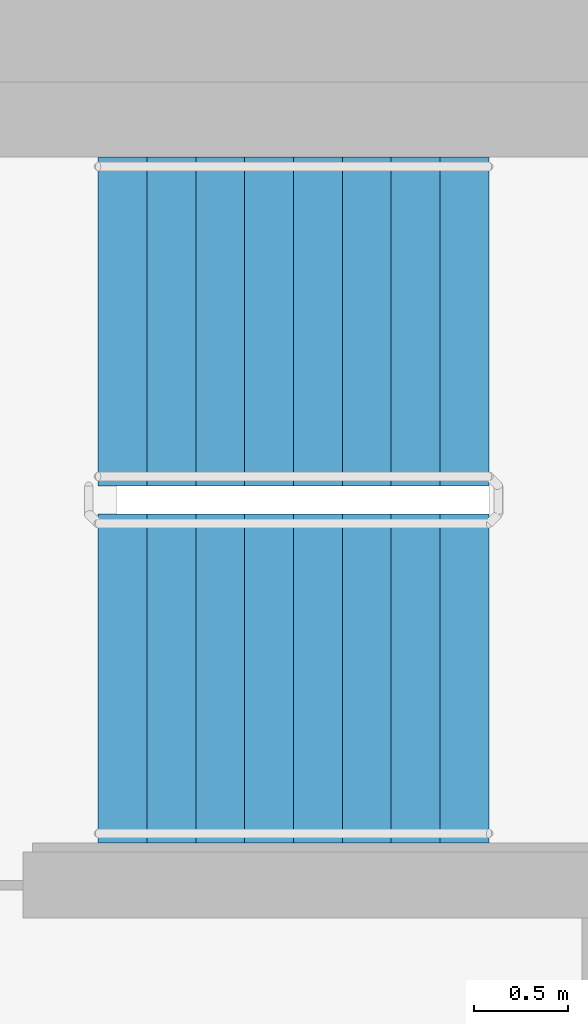
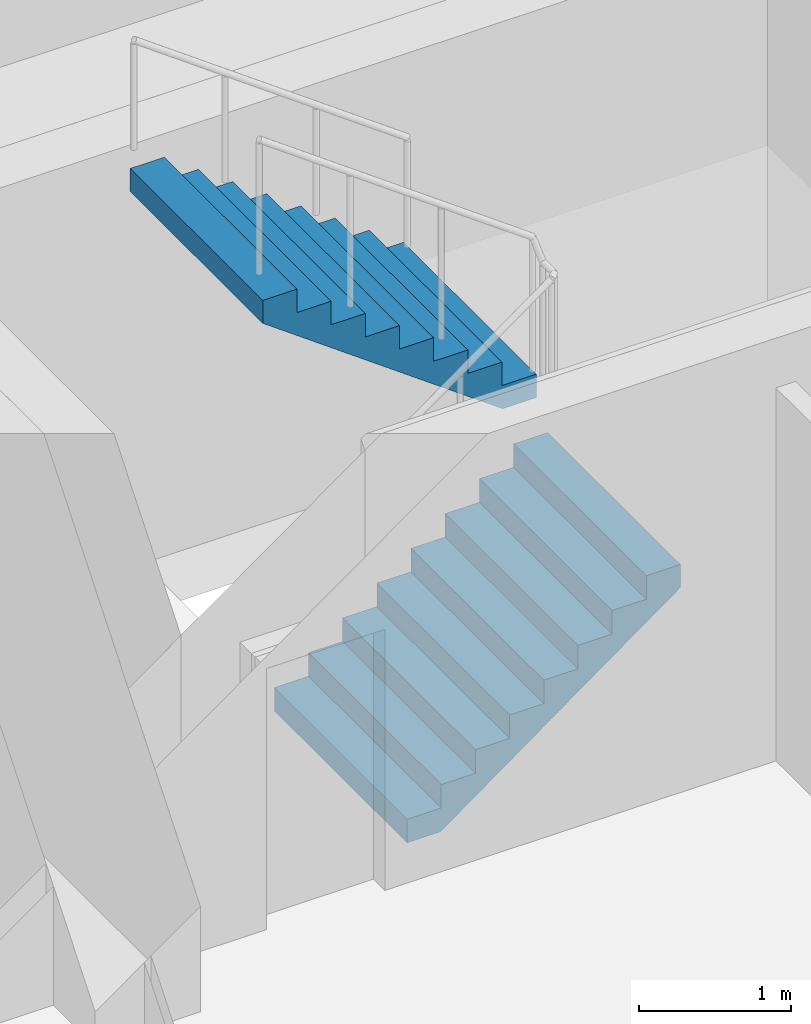
# One storey, part 13 of 18: 2 stair flights, 1 element without a shape of its own.
"""IFC4 building model written with IfcOpenShell, lengths in metres."""

from ifc_helpers import new_model, si_unit, direction, frame, origin, place, context, subcontext, project, spatial, faceted_brep, material, type_object, element, aggregate, save


model = new_model("IFC4")

# Units and contexts
model_context = context("Model", 3, precision=1e-05, world=origin(), true_north=direction((0.0, 1.0)))
body_context = subcontext(model_context, "Body", "Model", "MODEL_VIEW")
ifc_project = project(units=[si_unit("LENGTHUNIT", "METRE"), si_unit("AREAUNIT", "SQUARE_METRE"), si_unit("VOLUMEUNIT", "CUBIC_METRE"), si_unit("PLANEANGLEUNIT", "RADIAN"), si_unit("MASSUNIT", "GRAM", prefix="KILO")], contexts=[model_context])

# Site, building, storey
site_placement = place(None, origin())
site = spatial("IfcSite", under=ifc_project, at=site_placement, CompositionType="ELEMENT")
building_placement = place(site_placement, origin())
building = spatial("IfcBuilding", under=site, at=building_placement, Name="Ipe Terrace Towers", CompositionType="ELEMENT")
storey_placement = place(building_placement, frame((0.0, 0.0, 150.699951171875)))
storey = spatial("IfcBuildingStorey", under=building, at=storey_placement, Name="L41", CompositionType="ELEMENT", Elevation=150.699951171875)

# Stair, stair flights
ifc_material_1 = material(Name="Concrete C30/37", Category="concrete")
stair_type = type_object("IfcStairType", Name="Protected exit stair", PredefinedType="HALF_TURN_STAIR", material=ifc_material_1)
stair_placement = place(storey_placement, origin())
stair = element("IfcStair", 1, at=stair_placement, inside=storey, type_object=stair_type, Name="L41 Exit stair T1-C1", PredefinedType="HALF_TURN_STAIR")
ifc_material_2 = material(Name="Concrete C30/37", Category="concrete")
stair_flight_type = type_object("IfcStairFlightType", Name="Exit stair flight 1750", PredefinedType="STRAIGHT", material=ifc_material_2)
stair_flight_1_placement = place(storey_placement, frame((-26.300048828125, 2.77490234375, 0.0), z_axis=(0.0, 0.0, 1.0), x_axis=(1.0, 0.0, 0.0)))
stair_flight_1 = element("IfcStairFlight", 2, at=stair_flight_1_placement, type_object=stair_flight_type, Name="T1-ST1 flight 1", NumberOfRisers=9, NumberOfTreads=8, PredefinedType="STRAIGHT", RiserHeight=0.188888889, TreadLength=0.26, context=body_context, shape_type="Brep", body=[
    faceted_brep([(0.255126953125, -0.875, 0.0), (2.080078125, -0.875, 1.325927734375), (2.080078125, -0.875, 1.51123046875), (1.820068359375, -0.875, 1.51123046875), (1.820068359375, -0.875, 1.322265625), (1.56005859375, -0.875, 1.322265625), (1.56005859375, -0.875, 1.13330078125), (1.300048828125, -0.875, 1.13330078125), (1.300048828125, -0.875, 0.9443359375), (1.0400390625, -0.875, 0.9443359375), (1.0400390625, -0.875, 0.755615234375), (0.780029296875, -0.875, 0.755615234375), (0.780029296875, -0.875, 0.566650390625), (0.52001953125, -0.875, 0.566650390625), (0.52001953125, -0.875, 0.377685546875), (0.260009765625, -0.875, 0.377685546875), (0.260009765625, -0.875, 0.18896484375), (0.0, -0.875, 0.18896484375), (0.0, -0.875, 0.0), (0.0, 0.875, 0.0), (0.0, 0.875, 0.18896484375), (0.260009765625, 0.875, 0.18896484375), (0.260009765625, 0.875, 0.377685546875), (0.52001953125, 0.875, 0.377685546875), (0.52001953125, 0.875, 0.566650390625), (0.780029296875, 0.875, 0.566650390625), (0.780029296875, 0.875, 0.755615234375), (1.0400390625, 0.875, 0.755615234375), (1.0400390625, 0.875, 0.9443359375), (1.300048828125, 0.875, 0.9443359375), (1.300048828125, 0.875, 1.13330078125), (1.56005859375, 0.875, 1.13330078125), (1.56005859375, 0.875, 1.322265625), (1.820068359375, 0.875, 1.322265625), (1.820068359375, 0.875, 1.51123046875), (2.080078125, 0.875, 1.51123046875), (2.080078125, 0.875, 1.325927734375), (0.255126953125, 0.875, 0.0), (0.0, -0.300048828125, 0.18896484375), (0.0, -0.1201171875, 0.18896484375), (0.0, -0.06005859375, 0.18896484375), (0.0, -0.030029296875, 0.18896484375), (0.0, -0.010009765625, 0.18896484375), (0.0, 0.0, 0.18896484375), (0.0, 0.010009765625, 0.18896484375), (0.0, 0.030029296875, 0.18896484375), (0.0, 0.06005859375, 0.18896484375), (0.0, 0.1201171875, 0.18896484375), (0.0, 0.300048828125, 0.18896484375), (0.0, 0.300048828125, 0.0), (0.0, 0.1201171875, 0.0), (0.0, 0.06005859375, 0.0), (0.0, 0.030029296875, 0.0), (0.0, 0.010009765625, 0.0), (0.0, 0.0, 0.0), (0.0, -0.010009765625, 0.0), (0.0, -0.030029296875, 0.0), (0.0, -0.06005859375, 0.0), (0.0, -0.1201171875, 0.0), (0.0, -0.300048828125, 0.0), (0.260009765625, -0.300048828125, 0.18896484375), (0.260009765625, -0.1201171875, 0.18896484375), (0.260009765625, -0.06005859375, 0.18896484375), (0.260009765625, -0.030029296875, 0.18896484375), (0.260009765625, -0.010009765625, 0.18896484375), (0.260009765625, 0.0, 0.18896484375), (0.260009765625, 0.010009765625, 0.18896484375), (0.260009765625, 0.030029296875, 0.18896484375), (0.260009765625, 0.06005859375, 0.18896484375), (0.260009765625, 0.1201171875, 0.18896484375), (0.260009765625, 0.300048828125, 0.18896484375), (0.260009765625, -0.300048828125, 0.377685546875), (0.260009765625, -0.1201171875, 0.377685546875), (0.260009765625, -0.06005859375, 0.377685546875), (0.260009765625, -0.030029296875, 0.377685546875), (0.260009765625, -0.010009765625, 0.377685546875), (0.260009765625, 0.0, 0.377685546875), (0.260009765625, 0.010009765625, 0.377685546875), (0.260009765625, 0.030029296875, 0.377685546875), (0.260009765625, 0.06005859375, 0.377685546875), (0.260009765625, 0.1201171875, 0.377685546875), (0.260009765625, 0.300048828125, 0.377685546875), (0.52001953125, -0.300048828125, 0.377685546875), (0.52001953125, -0.1201171875, 0.377685546875), (0.52001953125, -0.06005859375, 0.377685546875), (0.52001953125, -0.030029296875, 0.377685546875), (0.52001953125, -0.010009765625, 0.377685546875), (0.52001953125, 0.0, 0.377685546875), (0.52001953125, 0.010009765625, 0.377685546875), (0.52001953125, 0.030029296875, 0.377685546875), (0.52001953125, 0.06005859375, 0.377685546875), (0.52001953125, 0.1201171875, 0.377685546875), (0.52001953125, 0.300048828125, 0.377685546875), (0.52001953125, -0.300048828125, 0.566650390625), (0.52001953125, -0.1201171875, 0.566650390625), (0.52001953125, -0.06005859375, 0.566650390625), (0.52001953125, -0.030029296875, 0.566650390625), (0.52001953125, -0.010009765625, 0.566650390625), (0.52001953125, 0.0, 0.566650390625), (0.52001953125, 0.010009765625, 0.566650390625), (0.52001953125, 0.030029296875, 0.566650390625), (0.52001953125, 0.06005859375, 0.566650390625), (0.52001953125, 0.1201171875, 0.566650390625), (0.52001953125, 0.300048828125, 0.566650390625), (0.780029296875, -0.300048828125, 0.566650390625), (0.780029296875, -0.1201171875, 0.566650390625), (0.780029296875, -0.06005859375, 0.566650390625), (0.780029296875, -0.030029296875, 0.566650390625), (0.780029296875, -0.010009765625, 0.566650390625), (0.780029296875, 0.0, 0.566650390625), (0.780029296875, 0.010009765625, 0.566650390625), (0.780029296875, 0.030029296875, 0.566650390625), (0.780029296875, 0.06005859375, 0.566650390625), (0.780029296875, 0.1201171875, 0.566650390625), (0.780029296875, 0.300048828125, 0.566650390625), (0.780029296875, -0.300048828125, 0.755615234375), (0.780029296875, -0.1201171875, 0.755615234375), (0.780029296875, -0.06005859375, 0.755615234375), (0.780029296875, -0.030029296875, 0.755615234375), (0.780029296875, -0.010009765625, 0.755615234375), (0.780029296875, 0.0, 0.755615234375), (0.780029296875, 0.010009765625, 0.755615234375), (0.780029296875, 0.030029296875, 0.755615234375), (0.780029296875, 0.06005859375, 0.755615234375), (0.780029296875, 0.1201171875, 0.755615234375), (0.780029296875, 0.300048828125, 0.755615234375), (1.0400390625, -0.300048828125, 0.755615234375), (1.0400390625, -0.1201171875, 0.755615234375), (1.0400390625, -0.06005859375, 0.755615234375), (1.0400390625, -0.030029296875, 0.755615234375), (1.0400390625, -0.010009765625, 0.755615234375), (1.0400390625, 0.0, 0.755615234375), (1.0400390625, 0.010009765625, 0.755615234375), (1.0400390625, 0.030029296875, 0.755615234375), (1.0400390625, 0.06005859375, 0.755615234375), (1.0400390625, 0.1201171875, 0.755615234375), (1.0400390625, 0.300048828125, 0.755615234375), (1.0400390625, -0.300048828125, 0.9443359375), (1.0400390625, -0.1201171875, 0.9443359375), (1.0400390625, -0.06005859375, 0.9443359375), (1.0400390625, -0.030029296875, 0.9443359375), (1.0400390625, -0.010009765625, 0.9443359375), (1.0400390625, 0.0, 0.9443359375), (1.0400390625, 0.010009765625, 0.9443359375), (1.0400390625, 0.030029296875, 0.9443359375), (1.0400390625, 0.06005859375, 0.9443359375), (1.0400390625, 0.1201171875, 0.9443359375), (1.0400390625, 0.300048828125, 0.9443359375), (1.300048828125, -0.300048828125, 0.9443359375), (1.300048828125, -0.1201171875, 0.9443359375), (1.300048828125, -0.06005859375, 0.9443359375), (1.300048828125, -0.030029296875, 0.9443359375), (1.300048828125, -0.010009765625, 0.9443359375), (1.300048828125, 0.0, 0.9443359375), (1.300048828125, 0.010009765625, 0.9443359375), (1.300048828125, 0.030029296875, 0.9443359375), (1.300048828125, 0.06005859375, 0.9443359375), (1.300048828125, 0.1201171875, 0.9443359375), (1.300048828125, 0.300048828125, 0.9443359375), (1.300048828125, -0.300048828125, 1.13330078125), (1.300048828125, -0.1201171875, 1.13330078125), (1.300048828125, -0.06005859375, 1.13330078125), (1.300048828125, -0.030029296875, 1.13330078125), (1.300048828125, -0.010009765625, 1.13330078125), (1.300048828125, 0.0, 1.13330078125), (1.300048828125, 0.010009765625, 1.13330078125), (1.300048828125, 0.030029296875, 1.13330078125), (1.300048828125, 0.06005859375, 1.13330078125), (1.300048828125, 0.1201171875, 1.13330078125), (1.300048828125, 0.300048828125, 1.13330078125), (1.56005859375, -0.300048828125, 1.13330078125), (1.56005859375, -0.1201171875, 1.13330078125), (1.56005859375, -0.06005859375, 1.13330078125), (1.56005859375, -0.030029296875, 1.13330078125), (1.56005859375, -0.010009765625, 1.13330078125), (1.56005859375, 0.0, 1.13330078125), (1.56005859375, 0.010009765625, 1.13330078125), (1.56005859375, 0.030029296875, 1.13330078125), (1.56005859375, 0.06005859375, 1.13330078125), (1.56005859375, 0.1201171875, 1.13330078125), (1.56005859375, 0.300048828125, 1.13330078125), (1.56005859375, -0.300048828125, 1.322265625), (1.56005859375, -0.1201171875, 1.322265625), (1.56005859375, -0.06005859375, 1.322265625), (1.56005859375, -0.030029296875, 1.322265625), (1.56005859375, -0.010009765625, 1.322265625), (1.56005859375, 0.0, 1.322265625), (1.56005859375, 0.010009765625, 1.322265625), (1.56005859375, 0.030029296875, 1.322265625), (1.56005859375, 0.06005859375, 1.322265625), (1.56005859375, 0.1201171875, 1.322265625), (1.56005859375, 0.300048828125, 1.322265625), (1.820068359375, -0.300048828125, 1.322265625), (1.820068359375, -0.1201171875, 1.322265625), (1.820068359375, -0.06005859375, 1.322265625), (1.820068359375, -0.030029296875, 1.322265625), (1.820068359375, -0.010009765625, 1.322265625), (1.820068359375, 0.0, 1.322265625), (1.820068359375, 0.010009765625, 1.322265625), (1.820068359375, 0.030029296875, 1.322265625), (1.820068359375, 0.06005859375, 1.322265625), (1.820068359375, 0.1201171875, 1.322265625), (1.820068359375, 0.300048828125, 1.322265625), (1.820068359375, -0.300048828125, 1.51123046875), (1.820068359375, -0.1201171875, 1.51123046875), (1.820068359375, -0.06005859375, 1.51123046875), (1.820068359375, -0.030029296875, 1.51123046875), (1.820068359375, -0.010009765625, 1.51123046875), (1.820068359375, 0.0, 1.51123046875), (1.820068359375, 0.010009765625, 1.51123046875), (1.820068359375, 0.030029296875, 1.51123046875), (1.820068359375, 0.06005859375, 1.51123046875), (1.820068359375, 0.1201171875, 1.51123046875), (1.820068359375, 0.300048828125, 1.51123046875), (2.080078125, -0.300048828125, 1.51123046875), (2.080078125, -0.1201171875, 1.51123046875), (2.080078125, -0.06005859375, 1.51123046875), (2.080078125, -0.030029296875, 1.51123046875), (2.080078125, -0.010009765625, 1.51123046875), (2.080078125, 0.0, 1.51123046875), (2.080078125, 0.010009765625, 1.51123046875), (2.080078125, 0.030029296875, 1.51123046875), (2.080078125, 0.06005859375, 1.51123046875), (2.080078125, 0.1201171875, 1.51123046875), (2.080078125, 0.300048828125, 1.51123046875), (2.080078125, -0.300048828125, 1.325927734375), (2.080078125, -0.1201171875, 1.325927734375), (2.080078125, -0.06005859375, 1.325927734375), (2.080078125, -0.030029296875, 1.325927734375), (2.080078125, -0.010009765625, 1.325927734375), (2.080078125, 0.0, 1.325927734375), (2.080078125, 0.010009765625, 1.325927734375), (2.080078125, 0.030029296875, 1.325927734375), (2.080078125, 0.06005859375, 1.325927734375), (2.080078125, 0.1201171875, 1.325927734375), (2.080078125, 0.300048828125, 1.325927734375), (0.255126953125, -0.300048828125, 0.0), (0.255126953125, -0.1201171875, 0.0), (0.255126953125, -0.06005859375, 0.0), (0.255126953125, -0.030029296875, 0.0), (0.255126953125, -0.010009765625, 0.0), (0.255126953125, 0.0, 0.0), (0.255126953125, 0.010009765625, 0.0), (0.255126953125, 0.030029296875, 0.0), (0.255126953125, 0.06005859375, 0.0), (0.255126953125, 0.1201171875, 0.0), (0.255126953125, 0.300048828125, 0.0)], [[[0, 1, 2, 3, 4, 5, 6, 7, 8, 9, 10, 11, 12, 13, 14, 15, 16, 17, 18]], [[19, 20, 21, 22, 23, 24, 25, 26, 27, 28, 29, 30, 31, 32, 33, 34, 35, 36, 37]], [[17, 38, 39, 40, 41, 42, 43, 44, 45, 46, 47, 48, 20, 19, 49, 50, 51, 52, 53, 54, 55, 56, 57, 58, 59, 18]], [[16, 60, 61, 62, 63, 64, 65, 66, 67, 68, 69, 70, 21, 20, 48, 47, 46, 45, 44, 43, 42, 41, 40, 39, 38, 17]], [[15, 71, 72, 73, 74, 75, 76, 77, 78, 79, 80, 81, 22, 21, 70, 69, 68, 67, 66, 65, 64, 63, 62, 61, 60, 16]], [[14, 82, 83, 84, 85, 86, 87, 88, 89, 90, 91, 92, 23, 22, 81, 80, 79, 78, 77, 76, 75, 74, 73, 72, 71, 15]], [[13, 93, 94, 95, 96, 97, 98, 99, 100, 101, 102, 103, 24, 23, 92, 91, 90, 89, 88, 87, 86, 85, 84, 83, 82, 14]], [[12, 104, 105, 106, 107, 108, 109, 110, 111, 112, 113, 114, 25, 24, 103, 102, 101, 100, 99, 98, 97, 96, 95, 94, 93, 13]], [[11, 115, 116, 117, 118, 119, 120, 121, 122, 123, 124, 125, 26, 25, 114, 113, 112, 111, 110, 109, 108, 107, 106, 105, 104, 12]], [[10, 126, 127, 128, 129, 130, 131, 132, 133, 134, 135, 136, 27, 26, 125, 124, 123, 122, 121, 120, 119, 118, 117, 116, 115, 11]], [[9, 137, 138, 139, 140, 141, 142, 143, 144, 145, 146, 147, 28, 27, 136, 135, 134, 133, 132, 131, 130, 129, 128, 127, 126, 10]], [[8, 148, 149, 150, 151, 152, 153, 154, 155, 156, 157, 158, 29, 28, 147, 146, 145, 144, 143, 142, 141, 140, 139, 138, 137, 9]], [[7, 159, 160, 161, 162, 163, 164, 165, 166, 167, 168, 169, 30, 29, 158, 157, 156, 155, 154, 153, 152, 151, 150, 149, 148, 8]], [[6, 170, 171, 172, 173, 174, 175, 176, 177, 178, 179, 180, 31, 30, 169, 168, 167, 166, 165, 164, 163, 162, 161, 160, 159, 7]], [[5, 181, 182, 183, 184, 185, 186, 187, 188, 189, 190, 191, 32, 31, 180, 179, 178, 177, 176, 175, 174, 173, 172, 171, 170, 6]], [[4, 192, 193, 194, 195, 196, 197, 198, 199, 200, 201, 202, 33, 32, 191, 190, 189, 188, 187, 186, 185, 184, 183, 182, 181, 5]], [[3, 203, 204, 205, 206, 207, 208, 209, 210, 211, 212, 213, 34, 33, 202, 201, 200, 199, 198, 197, 196, 195, 194, 193, 192, 4]], [[2, 214, 215, 216, 217, 218, 219, 220, 221, 222, 223, 224, 35, 34, 213, 212, 211, 210, 209, 208, 207, 206, 205, 204, 203, 3]], [[1, 225, 226, 227, 228, 229, 230, 231, 232, 233, 234, 235, 36, 35, 224, 223, 222, 221, 220, 219, 218, 217, 216, 215, 214, 2]], [[0, 236, 237, 238, 239, 240, 241, 242, 243, 244, 245, 246, 37, 36, 235, 234, 233, 232, 231, 230, 229, 228, 227, 226, 225, 1]], [[18, 59, 58, 57, 56, 55, 54, 53, 52, 51, 50, 49, 19, 37, 246, 245, 244, 243, 242, 241, 240, 239, 238, 237, 236, 0]]]),
])
stair_flight_2_placement = place(storey_placement, frame((-24.219970703125, 4.675048828125, 1.699951171875), z_axis=(0.0, 0.0, 1.0), x_axis=(-1.0, 0.0, 0.0)))
stair_flight_2 = element("IfcStairFlight", 3, at=stair_flight_2_placement, type_object=stair_flight_type, Name="T1-ST1 flight 2", NumberOfRisers=9, NumberOfTreads=8, PredefinedType="STRAIGHT", RiserHeight=0.188888889, TreadLength=0.26, context=body_context, shape_type="Brep", body=[
    faceted_brep([(0.255126953125, -0.875, 0.0), (2.080078125, -0.875, 1.325927734375), (2.080078125, -0.875, 1.51123046875), (1.820068359375, -0.875, 1.51123046875), (1.820068359375, -0.875, 1.322265625), (1.56005859375, -0.875, 1.322265625), (1.56005859375, -0.875, 1.13330078125), (1.300048828125, -0.875, 1.13330078125), (1.300048828125, -0.875, 0.9443359375), (1.0400390625, -0.875, 0.9443359375), (1.0400390625, -0.875, 0.755615234375), (0.780029296875, -0.875, 0.755615234375), (0.780029296875, -0.875, 0.566650390625), (0.52001953125, -0.875, 0.566650390625), (0.52001953125, -0.875, 0.377685546875), (0.260009765625, -0.875, 0.377685546875), (0.260009765625, -0.875, 0.18896484375), (0.0, -0.875, 0.18896484375), (0.0, -0.875, 0.0), (0.0, 0.875, 0.0), (0.0, 0.875, 0.18896484375), (0.260009765625, 0.875, 0.18896484375), (0.260009765625, 0.875, 0.377685546875), (0.52001953125, 0.875, 0.377685546875), (0.52001953125, 0.875, 0.566650390625), (0.780029296875, 0.875, 0.566650390625), (0.780029296875, 0.875, 0.755615234375), (1.0400390625, 0.875, 0.755615234375), (1.0400390625, 0.875, 0.9443359375), (1.300048828125, 0.875, 0.9443359375), (1.300048828125, 0.875, 1.13330078125), (1.56005859375, 0.875, 1.13330078125), (1.56005859375, 0.875, 1.322265625), (1.820068359375, 0.875, 1.322265625), (1.820068359375, 0.875, 1.51123046875), (2.080078125, 0.875, 1.51123046875), (2.080078125, 0.875, 1.325927734375), (0.255126953125, 0.875, 0.0), (0.0, -0.300048828125, 0.18896484375), (0.0, -0.1201171875, 0.18896484375), (0.0, -0.06005859375, 0.18896484375), (0.0, -0.030029296875, 0.18896484375), (0.0, -0.010009765625, 0.18896484375), (0.0, 0.0, 0.18896484375), (0.0, 0.010009765625, 0.18896484375), (0.0, 0.030029296875, 0.18896484375), (0.0, 0.06005859375, 0.18896484375), (0.0, 0.1201171875, 0.18896484375), (0.0, 0.300048828125, 0.18896484375), (0.0, 0.300048828125, 0.0), (0.0, 0.1201171875, 0.0), (0.0, 0.06005859375, 0.0), (0.0, 0.030029296875, 0.0), (0.0, 0.010009765625, 0.0), (0.0, 0.0, 0.0), (0.0, -0.010009765625, 0.0), (0.0, -0.030029296875, 0.0), (0.0, -0.06005859375, 0.0), (0.0, -0.1201171875, 0.0), (0.0, -0.300048828125, 0.0), (0.260009765625, -0.300048828125, 0.18896484375), (0.260009765625, -0.1201171875, 0.18896484375), (0.260009765625, -0.06005859375, 0.18896484375), (0.260009765625, -0.030029296875, 0.18896484375), (0.260009765625, -0.010009765625, 0.18896484375), (0.260009765625, 0.0, 0.18896484375), (0.260009765625, 0.010009765625, 0.18896484375), (0.260009765625, 0.030029296875, 0.18896484375), (0.260009765625, 0.06005859375, 0.18896484375), (0.260009765625, 0.1201171875, 0.18896484375), (0.260009765625, 0.300048828125, 0.18896484375), (0.260009765625, -0.300048828125, 0.377685546875), (0.260009765625, -0.1201171875, 0.377685546875), (0.260009765625, -0.06005859375, 0.377685546875), (0.260009765625, -0.030029296875, 0.377685546875), (0.260009765625, -0.010009765625, 0.377685546875), (0.260009765625, 0.0, 0.377685546875), (0.260009765625, 0.010009765625, 0.377685546875), (0.260009765625, 0.030029296875, 0.377685546875), (0.260009765625, 0.06005859375, 0.377685546875), (0.260009765625, 0.1201171875, 0.377685546875), (0.260009765625, 0.300048828125, 0.377685546875), (0.52001953125, -0.300048828125, 0.377685546875), (0.52001953125, -0.1201171875, 0.377685546875), (0.52001953125, -0.06005859375, 0.377685546875), (0.52001953125, -0.030029296875, 0.377685546875), (0.52001953125, -0.010009765625, 0.377685546875), (0.52001953125, 0.0, 0.377685546875), (0.52001953125, 0.010009765625, 0.377685546875), (0.52001953125, 0.030029296875, 0.377685546875), (0.52001953125, 0.06005859375, 0.377685546875), (0.52001953125, 0.1201171875, 0.377685546875), (0.52001953125, 0.300048828125, 0.377685546875), (0.52001953125, -0.300048828125, 0.566650390625), (0.52001953125, -0.1201171875, 0.566650390625), (0.52001953125, -0.06005859375, 0.566650390625), (0.52001953125, -0.030029296875, 0.566650390625), (0.52001953125, -0.010009765625, 0.566650390625), (0.52001953125, 0.0, 0.566650390625), (0.52001953125, 0.010009765625, 0.566650390625), (0.52001953125, 0.030029296875, 0.566650390625), (0.52001953125, 0.06005859375, 0.566650390625), (0.52001953125, 0.1201171875, 0.566650390625), (0.52001953125, 0.300048828125, 0.566650390625), (0.780029296875, -0.300048828125, 0.566650390625), (0.780029296875, -0.1201171875, 0.566650390625), (0.780029296875, -0.06005859375, 0.566650390625), (0.780029296875, -0.030029296875, 0.566650390625), (0.780029296875, -0.010009765625, 0.566650390625), (0.780029296875, 0.0, 0.566650390625), (0.780029296875, 0.010009765625, 0.566650390625), (0.780029296875, 0.030029296875, 0.566650390625), (0.780029296875, 0.06005859375, 0.566650390625), (0.780029296875, 0.1201171875, 0.566650390625), (0.780029296875, 0.300048828125, 0.566650390625), (0.780029296875, -0.300048828125, 0.755615234375), (0.780029296875, -0.1201171875, 0.755615234375), (0.780029296875, -0.06005859375, 0.755615234375), (0.780029296875, -0.030029296875, 0.755615234375), (0.780029296875, -0.010009765625, 0.755615234375), (0.780029296875, 0.0, 0.755615234375), (0.780029296875, 0.010009765625, 0.755615234375), (0.780029296875, 0.030029296875, 0.755615234375), (0.780029296875, 0.06005859375, 0.755615234375), (0.780029296875, 0.1201171875, 0.755615234375), (0.780029296875, 0.300048828125, 0.755615234375), (1.0400390625, -0.300048828125, 0.755615234375), (1.0400390625, -0.1201171875, 0.755615234375), (1.0400390625, -0.06005859375, 0.755615234375), (1.0400390625, -0.030029296875, 0.755615234375), (1.0400390625, -0.010009765625, 0.755615234375), (1.0400390625, 0.0, 0.755615234375), (1.0400390625, 0.010009765625, 0.755615234375), (1.0400390625, 0.030029296875, 0.755615234375), (1.0400390625, 0.06005859375, 0.755615234375), (1.0400390625, 0.1201171875, 0.755615234375), (1.0400390625, 0.300048828125, 0.755615234375), (1.0400390625, -0.300048828125, 0.9443359375), (1.0400390625, -0.1201171875, 0.9443359375), (1.0400390625, -0.06005859375, 0.9443359375), (1.0400390625, -0.030029296875, 0.9443359375), (1.0400390625, -0.010009765625, 0.9443359375), (1.0400390625, 0.0, 0.9443359375), (1.0400390625, 0.010009765625, 0.9443359375), (1.0400390625, 0.030029296875, 0.9443359375), (1.0400390625, 0.06005859375, 0.9443359375), (1.0400390625, 0.1201171875, 0.9443359375), (1.0400390625, 0.300048828125, 0.9443359375), (1.300048828125, -0.300048828125, 0.9443359375), (1.300048828125, -0.1201171875, 0.9443359375), (1.300048828125, -0.06005859375, 0.9443359375), (1.300048828125, -0.030029296875, 0.9443359375), (1.300048828125, -0.010009765625, 0.9443359375), (1.300048828125, 0.0, 0.9443359375), (1.300048828125, 0.010009765625, 0.9443359375), (1.300048828125, 0.030029296875, 0.9443359375), (1.300048828125, 0.06005859375, 0.9443359375), (1.300048828125, 0.1201171875, 0.9443359375), (1.300048828125, 0.300048828125, 0.9443359375), (1.300048828125, -0.300048828125, 1.13330078125), (1.300048828125, -0.1201171875, 1.13330078125), (1.300048828125, -0.06005859375, 1.13330078125), (1.300048828125, -0.030029296875, 1.13330078125), (1.300048828125, -0.010009765625, 1.13330078125), (1.300048828125, 0.0, 1.13330078125), (1.300048828125, 0.010009765625, 1.13330078125), (1.300048828125, 0.030029296875, 1.13330078125), (1.300048828125, 0.06005859375, 1.13330078125), (1.300048828125, 0.1201171875, 1.13330078125), (1.300048828125, 0.300048828125, 1.13330078125), (1.56005859375, -0.300048828125, 1.13330078125), (1.56005859375, -0.1201171875, 1.13330078125), (1.56005859375, -0.06005859375, 1.13330078125), (1.56005859375, -0.030029296875, 1.13330078125), (1.56005859375, -0.010009765625, 1.13330078125), (1.56005859375, 0.0, 1.13330078125), (1.56005859375, 0.010009765625, 1.13330078125), (1.56005859375, 0.030029296875, 1.13330078125), (1.56005859375, 0.06005859375, 1.13330078125), (1.56005859375, 0.1201171875, 1.13330078125), (1.56005859375, 0.300048828125, 1.13330078125), (1.56005859375, -0.300048828125, 1.322265625), (1.56005859375, -0.1201171875, 1.322265625), (1.56005859375, -0.06005859375, 1.322265625), (1.56005859375, -0.030029296875, 1.322265625), (1.56005859375, -0.010009765625, 1.322265625), (1.56005859375, 0.0, 1.322265625), (1.56005859375, 0.010009765625, 1.322265625), (1.56005859375, 0.030029296875, 1.322265625), (1.56005859375, 0.06005859375, 1.322265625), (1.56005859375, 0.1201171875, 1.322265625), (1.56005859375, 0.300048828125, 1.322265625), (1.820068359375, -0.300048828125, 1.322265625), (1.820068359375, -0.1201171875, 1.322265625), (1.820068359375, -0.06005859375, 1.322265625), (1.820068359375, -0.030029296875, 1.322265625), (1.820068359375, -0.010009765625, 1.322265625), (1.820068359375, 0.0, 1.322265625), (1.820068359375, 0.010009765625, 1.322265625), (1.820068359375, 0.030029296875, 1.322265625), (1.820068359375, 0.06005859375, 1.322265625), (1.820068359375, 0.1201171875, 1.322265625), (1.820068359375, 0.300048828125, 1.322265625), (1.820068359375, -0.300048828125, 1.51123046875), (1.820068359375, -0.1201171875, 1.51123046875), (1.820068359375, -0.06005859375, 1.51123046875), (1.820068359375, -0.030029296875, 1.51123046875), (1.820068359375, -0.010009765625, 1.51123046875), (1.820068359375, 0.0, 1.51123046875), (1.820068359375, 0.010009765625, 1.51123046875), (1.820068359375, 0.030029296875, 1.51123046875), (1.820068359375, 0.06005859375, 1.51123046875), (1.820068359375, 0.1201171875, 1.51123046875), (1.820068359375, 0.300048828125, 1.51123046875), (2.080078125, -0.300048828125, 1.51123046875), (2.080078125, -0.1201171875, 1.51123046875), (2.080078125, -0.06005859375, 1.51123046875), (2.080078125, -0.030029296875, 1.51123046875), (2.080078125, -0.010009765625, 1.51123046875), (2.080078125, 0.0, 1.51123046875), (2.080078125, 0.010009765625, 1.51123046875), (2.080078125, 0.030029296875, 1.51123046875), (2.080078125, 0.06005859375, 1.51123046875), (2.080078125, 0.1201171875, 1.51123046875), (2.080078125, 0.300048828125, 1.51123046875), (2.080078125, -0.300048828125, 1.325927734375), (2.080078125, -0.1201171875, 1.325927734375), (2.080078125, -0.06005859375, 1.325927734375), (2.080078125, -0.030029296875, 1.325927734375), (2.080078125, -0.010009765625, 1.325927734375), (2.080078125, 0.0, 1.325927734375), (2.080078125, 0.010009765625, 1.325927734375), (2.080078125, 0.030029296875, 1.325927734375), (2.080078125, 0.06005859375, 1.325927734375), (2.080078125, 0.1201171875, 1.325927734375), (2.080078125, 0.300048828125, 1.325927734375), (0.255126953125, -0.300048828125, 0.0), (0.255126953125, -0.1201171875, 0.0), (0.255126953125, -0.06005859375, 0.0), (0.255126953125, -0.030029296875, 0.0), (0.255126953125, -0.010009765625, 0.0), (0.255126953125, 0.0, 0.0), (0.255126953125, 0.010009765625, 0.0), (0.255126953125, 0.030029296875, 0.0), (0.255126953125, 0.06005859375, 0.0), (0.255126953125, 0.1201171875, 0.0), (0.255126953125, 0.300048828125, 0.0)], [[[0, 1, 2, 3, 4, 5, 6, 7, 8, 9, 10, 11, 12, 13, 14, 15, 16, 17, 18]], [[19, 20, 21, 22, 23, 24, 25, 26, 27, 28, 29, 30, 31, 32, 33, 34, 35, 36, 37]], [[17, 38, 39, 40, 41, 42, 43, 44, 45, 46, 47, 48, 20, 19, 49, 50, 51, 52, 53, 54, 55, 56, 57, 58, 59, 18]], [[16, 60, 61, 62, 63, 64, 65, 66, 67, 68, 69, 70, 21, 20, 48, 47, 46, 45, 44, 43, 42, 41, 40, 39, 38, 17]], [[15, 71, 72, 73, 74, 75, 76, 77, 78, 79, 80, 81, 22, 21, 70, 69, 68, 67, 66, 65, 64, 63, 62, 61, 60, 16]], [[14, 82, 83, 84, 85, 86, 87, 88, 89, 90, 91, 92, 23, 22, 81, 80, 79, 78, 77, 76, 75, 74, 73, 72, 71, 15]], [[13, 93, 94, 95, 96, 97, 98, 99, 100, 101, 102, 103, 24, 23, 92, 91, 90, 89, 88, 87, 86, 85, 84, 83, 82, 14]], [[12, 104, 105, 106, 107, 108, 109, 110, 111, 112, 113, 114, 25, 24, 103, 102, 101, 100, 99, 98, 97, 96, 95, 94, 93, 13]], [[11, 115, 116, 117, 118, 119, 120, 121, 122, 123, 124, 125, 26, 25, 114, 113, 112, 111, 110, 109, 108, 107, 106, 105, 104, 12]], [[10, 126, 127, 128, 129, 130, 131, 132, 133, 134, 135, 136, 27, 26, 125, 124, 123, 122, 121, 120, 119, 118, 117, 116, 115, 11]], [[9, 137, 138, 139, 140, 141, 142, 143, 144, 145, 146, 147, 28, 27, 136, 135, 134, 133, 132, 131, 130, 129, 128, 127, 126, 10]], [[8, 148, 149, 150, 151, 152, 153, 154, 155, 156, 157, 158, 29, 28, 147, 146, 145, 144, 143, 142, 141, 140, 139, 138, 137, 9]], [[7, 159, 160, 161, 162, 163, 164, 165, 166, 167, 168, 169, 30, 29, 158, 157, 156, 155, 154, 153, 152, 151, 150, 149, 148, 8]], [[6, 170, 171, 172, 173, 174, 175, 176, 177, 178, 179, 180, 31, 30, 169, 168, 167, 166, 165, 164, 163, 162, 161, 160, 159, 7]], [[5, 181, 182, 183, 184, 185, 186, 187, 188, 189, 190, 191, 32, 31, 180, 179, 178, 177, 176, 175, 174, 173, 172, 171, 170, 6]], [[4, 192, 193, 194, 195, 196, 197, 198, 199, 200, 201, 202, 33, 32, 191, 190, 189, 188, 187, 186, 185, 184, 183, 182, 181, 5]], [[3, 203, 204, 205, 206, 207, 208, 209, 210, 211, 212, 213, 34, 33, 202, 201, 200, 199, 198, 197, 196, 195, 194, 193, 192, 4]], [[2, 214, 215, 216, 217, 218, 219, 220, 221, 222, 223, 224, 35, 34, 213, 212, 211, 210, 209, 208, 207, 206, 205, 204, 203, 3]], [[1, 225, 226, 227, 228, 229, 230, 231, 232, 233, 234, 235, 36, 35, 224, 223, 222, 221, 220, 219, 218, 217, 216, 215, 214, 2]], [[0, 236, 237, 238, 239, 240, 241, 242, 243, 244, 245, 246, 37, 36, 235, 234, 233, 232, 231, 230, 229, 228, 227, 226, 225, 1]], [[18, 59, 58, 57, 56, 55, 54, 53, 52, 51, 50, 49, 19, 37, 246, 245, 244, 243, 242, 241, 240, 239, 238, 237, 236, 0]]]),
])
aggregate(stair, [stair_flight_1, stair_flight_2])

save(model, "model.ifc")
